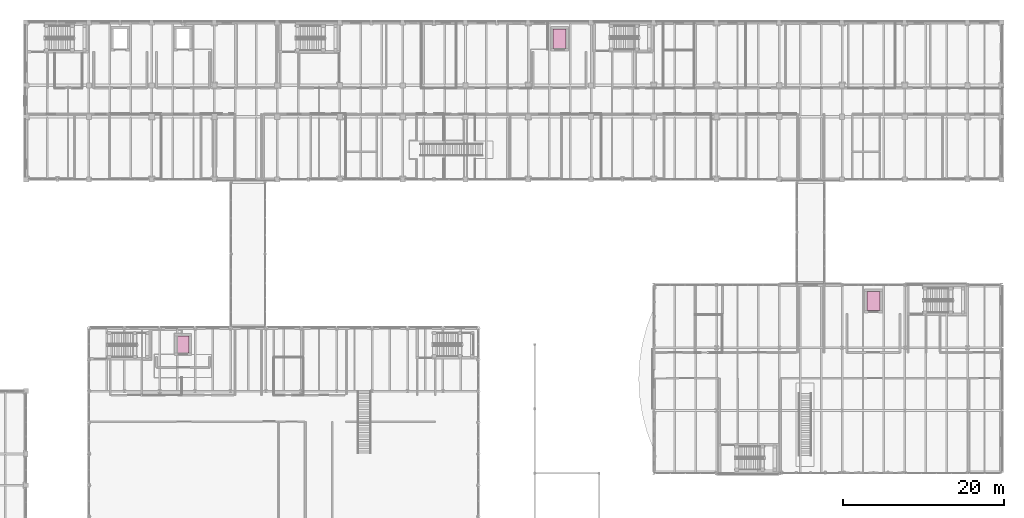
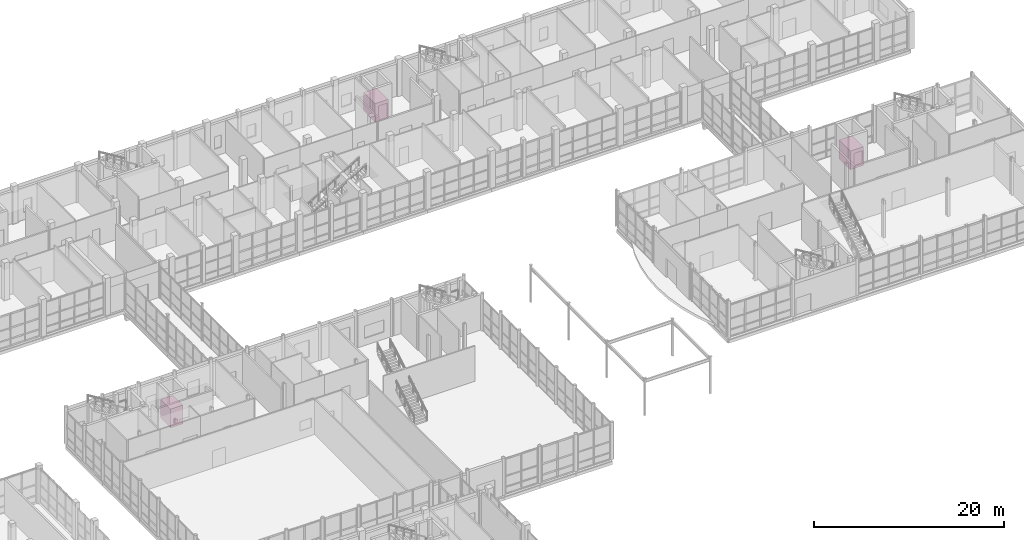
# One storey, part 131 of 131: 3 transport elements.
"""IFC4 building model written with IfcOpenShell, lengths in metres."""

from ifc_helpers import new_model, si_unit, direction, frame, origin, origin_2d, place, context, subcontext, project, spatial, rectangle, extrude, material, type_object, element, save


model = new_model("IFC4")

# Units and contexts
model_context = context("Model", 3, precision=1e-05, world=origin(), true_north=direction((0.0, 1.0)))
body_context = subcontext(model_context, "Body", "Model", "MODEL_VIEW")
ifc_project = project(units=[si_unit("LENGTHUNIT", "METRE"), si_unit("AREAUNIT", "SQUARE_METRE"), si_unit("VOLUMEUNIT", "CUBIC_METRE"), si_unit("PLANEANGLEUNIT", "RADIAN"), si_unit("MASSUNIT", "GRAM", prefix="KILO")], contexts=[model_context])

# Site, building, storey
site_placement = place(None, origin())
site = spatial("IfcSite", under=ifc_project, at=site_placement, CompositionType="ELEMENT")
building_placement = place(site_placement, origin())
building = spatial("IfcBuilding", under=site, at=building_placement, Name="Celorna Specialist Clinic", CompositionType="ELEMENT")
storey_placement = place(building_placement, origin())
storey = spatial("IfcBuildingStorey", under=building, at=storey_placement, Name="L00", CompositionType="ELEMENT", Elevation=0.0)

# Transport elements
ifc_material_1 = material(Name="Stainless steel clinical stretcher elevator car", Category="steel")
transport_element_type_1 = type_object("IfcTransportElementType", Name="LFT-02", PredefinedType="ELEVATOR", material=ifc_material_1)
for number, where, z_axis, x_axis, name in (
    (1, (113.10009765625, 114.0, 0.0), (0.0, 0.0, 1.0), (1.0, 0.0, 0.0), "Clinical lift LF-03"),
    (2, (152.10009765625, 81.39990234375, 0.0), (0.0, 0.0, 1.0), (1.0, 0.0, 0.0), "Clinical lift LF-09"),
):
    element("IfcTransportElement", number, at=place(storey_placement, frame(where, z_axis=z_axis, x_axis=x_axis)), inside=storey, type_object=transport_element_type_1, Name=name, PredefinedType="ELEVATOR", context=body_context, shape_type="SweptSolid", body=[
        extrude(rectangle(XDim=1.60009765625, YDim=2.39990234375, at=origin_2d()), origin(), (0.0, 0.0, 1.0), 2.39990234375),
    ])
ifc_material_2 = material(Name="Stainless steel accessible passenger elevator car", Category="steel")
transport_element_type_2 = type_object("IfcTransportElementType", Name="LFT-04", PredefinedType="ELEVATOR", material=ifc_material_2)
transport_element_placement = place(storey_placement, frame((66.300048828125, 76.0, 0.0), z_axis=(0.0, 0.0, 1.0), x_axis=(1.0, 0.0, 0.0)))
element("IfcTransportElement", 3, at=transport_element_placement, inside=storey, type_object=transport_element_type_2, Name="Clinical lift LF-08", PredefinedType="ELEVATOR", context=body_context, shape_type="SweptSolid", body=[
    extrude(rectangle(XDim=1.5, YDim=2.10009765625, at=origin_2d()), origin(), (0.0, 0.0, 1.0), 2.39990234375),
])

save(model, "model.ifc")
